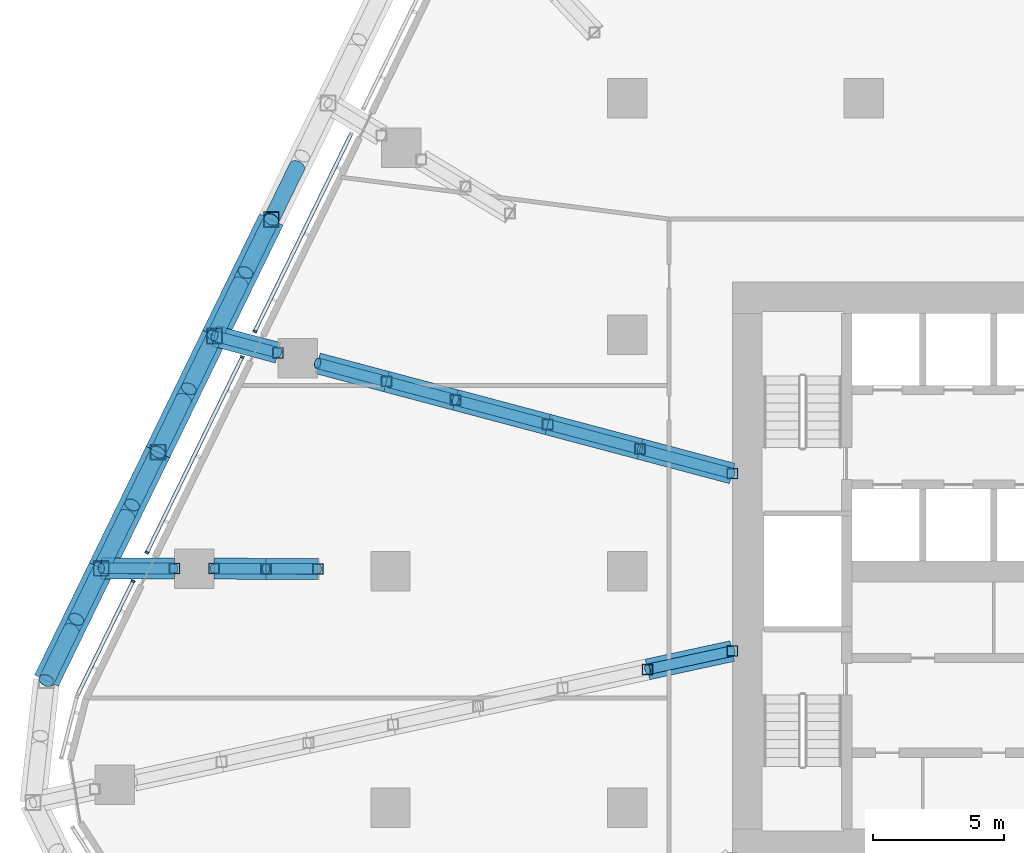
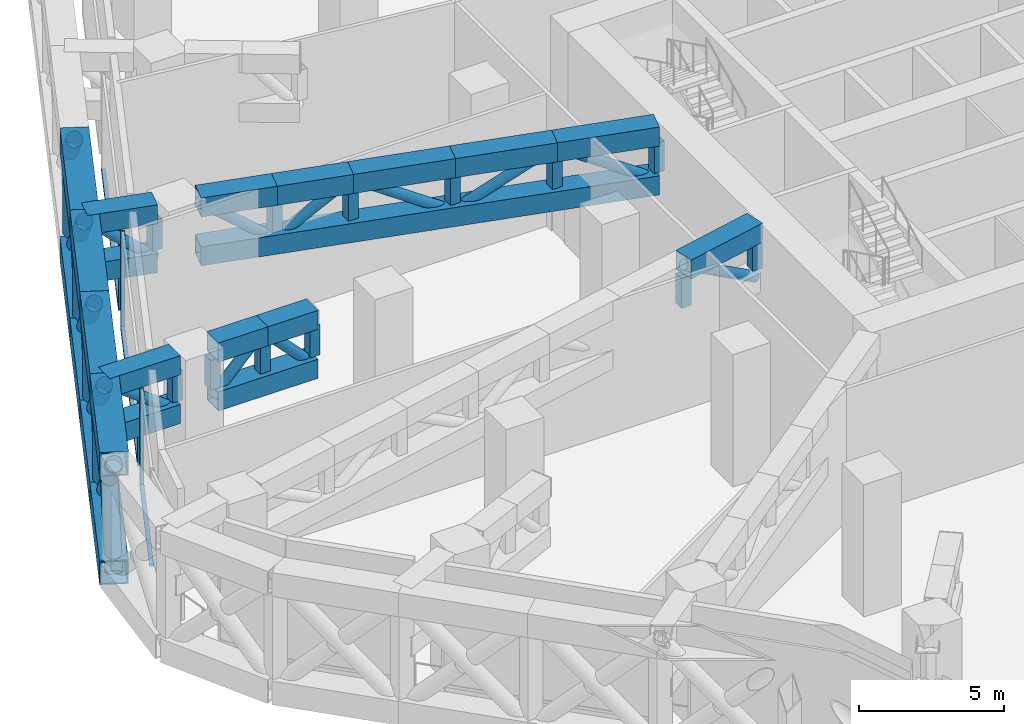
# One storey, part 7 of 38: 68 members, 1 element without a shape of its own.
"""IFC4 building model written with IfcOpenShell, lengths in metres."""

from ifc_helpers import new_model, si_unit, direction, frame, origin, origin_2d, place, context, subcontext, project, spatial, rectangle, hollow_rectangle, hollow_circle, extrude, material, layer, layer_set, material_profile, profile_set, type_object, element, aggregate, save


model = new_model("IFC4")

# Units and contexts
model_context = context("Model", 3, precision=1e-05, world=origin(), true_north=direction((0.0, 1.0)))
body_context = subcontext(model_context, "Body", "Model", "MODEL_VIEW")
ifc_project = project(units=[si_unit("LENGTHUNIT", "METRE"), si_unit("AREAUNIT", "SQUARE_METRE"), si_unit("VOLUMEUNIT", "CUBIC_METRE"), si_unit("PLANEANGLEUNIT", "RADIAN"), si_unit("MASSUNIT", "GRAM", prefix="KILO")], contexts=[model_context])

# Site, building, storey
site_placement = place(None, origin())
site = spatial("IfcSite", under=ifc_project, at=site_placement, CompositionType="ELEMENT")
building_placement = place(site_placement, origin())
building = spatial("IfcBuilding", under=site, at=building_placement, Name="Dongbaek Canopy Tower", CompositionType="ELEMENT")
storey_placement = place(building_placement, frame((0.0, 0.0, 89.199951171875)))
storey = spatial("IfcBuildingStorey", under=building, at=storey_placement, Name="L18", CompositionType="ELEMENT", Elevation=89.199951171875)

# Members
ifc_material_1 = material(Name="Steel S355", Category="steel")
ifc_material_profile_1 = material_profile(ifc_material_1, hollow_circle(Radius=0.304931640625, WallThickness=0.01611328125, at=origin_2d()), Name="BELT BRACE CHS 610.0x16.0 Steel S355")
ifc_profile_set_1 = profile_set([ifc_material_profile_1], Name="Steel S355")
member_type_1 = type_object("IfcMemberType", Name="BELT BRACE CHS 610.0x16.0 Steel S355", PredefinedType="BRACE", material=ifc_profile_set_1)
member_1_placement = place(storey_placement, frame((-40.084228515625, -4.15869140625, 0.5), z_axis=(0.316509625536, 0.649308550674, 0.691534571056), x_axis=(-0.898891831902, 0.438170599813, 0.0)))
element("IfcMember", 1, at=member_1_placement, inside=storey, type_object=member_type_1, Name="BELT:L18:8:D1:0", PredefinedType="BRACE", context=body_context, shape_type="SweptSolid", body=[
    extrude(hollow_circle(Radius=0.304931640625, WallThickness=0.01611328125, at=origin_2d()), origin(), (0.0, 0.0, 1.0), 6.57958984375),
])
member_2_placement = place(storey_placement, frame((-38.001708984375, 0.113525390625, 0.5), z_axis=(-0.316482092414, -0.64932407588, 0.691532594795), x_axis=(0.898910970304, -0.438131335866, 0.0)))
element("IfcMember", 2, at=member_2_placement, inside=storey, type_object=member_type_1, Name="BELT:L18:8:D1:1", PredefinedType="BRACE", context=body_context, shape_type="SweptSolid", body=[
    extrude(hollow_circle(Radius=0.304931640625, WallThickness=0.01611328125, at=origin_2d()), origin(), (0.0, 0.0, 1.0), 2.984619140625),
])
member_3_placement = place(storey_placement, frame((-40.084228515625, -4.15869140625, 5.050048828125), z_axis=(0.316498902436, 0.649276761085, -0.691569325716), x_axis=(-0.898889229253, 0.438175939017, 0.0)))
element("IfcMember", 3, at=member_3_placement, inside=storey, type_object=member_type_1, Name="BELT:L18:8:D1:2", PredefinedType="BRACE", context=body_context, shape_type="SweptSolid", body=[
    extrude(hollow_circle(Radius=0.304931640625, WallThickness=0.01611328125, at=origin_2d()), origin(), (0.0, 0.0, 1.0), 2.984375),
])
member_4_placement = place(storey_placement, frame((-38.001708984375, 0.113525390625, 0.5), z_axis=(0.321687411362, 0.659701543046, 0.679198854146), x_axis=(-0.8988319052, 0.438293516031, 0.0)))
element("IfcMember", 4, at=member_4_placement, inside=storey, type_object=member_type_1, Name="BELT:L18:9:D0:0", PredefinedType="BRACE", context=body_context, shape_type="SweptSolid", body=[
    extrude(hollow_circle(Radius=0.304931640625, WallThickness=0.01611328125, at=origin_2d()), origin(), (0.0, 0.0, 1.0), 6.69921875),
])
member_5_placement = place(storey_placement, frame((-35.8466796875, 4.532958984375, 0.5), z_axis=(-0.321671634673, -0.659707611857, 0.679200431614), x_axis=(0.898841961586, -0.438272892262, 0.0)))
element("IfcMember", 5, at=member_5_placement, inside=storey, type_object=member_type_1, Name="BELT:L18:9:D0:1", PredefinedType="BRACE", context=body_context, shape_type="SweptSolid", body=[
    extrude(hollow_circle(Radius=0.304931640625, WallThickness=0.01611328125, at=origin_2d()), origin(), (0.0, 0.0, 1.0), 3.04345703125),
])
member_6_placement = place(storey_placement, frame((-38.001708984375, 0.113525390625, 5.050048828125), z_axis=(0.321654612124, 0.659752913895, -0.679164488991), x_axis=(-0.898862952216, 0.438229840533, 0.0)))
element("IfcMember", 6, at=member_6_placement, inside=storey, type_object=member_type_1, Name="BELT:L18:9:D0:2", PredefinedType="BRACE", context=body_context, shape_type="SweptSolid", body=[
    extrude(hollow_circle(Radius=0.304931640625, WallThickness=0.01611328125, at=origin_2d()), origin(), (0.0, 0.0, 1.0), 3.043701171875),
])
member_7_placement = place(storey_placement, frame((-35.8466796875, 4.532958984375, 0.5), z_axis=(0.321720083077, 0.659693808774, 0.679190891289), x_axis=(-0.898812343532, 0.438333629914, 0.0)))
element("IfcMember", 7, at=member_7_placement, inside=storey, type_object=member_type_1, Name="BELT:L18:9:D1:0", PredefinedType="BRACE", context=body_context, shape_type="SweptSolid", body=[
    extrude(hollow_circle(Radius=0.304931640625, WallThickness=0.01611328125, at=origin_2d()), origin(), (0.0, 0.0, 1.0), 6.69921875),
])
member_8_placement = place(storey_placement, frame((-33.69140625, 8.952392578125, 0.5), z_axis=(-0.321743548952, -0.659690587529, 0.679182904256), x_axis=(0.898798903857, -0.43836118718, 0.0)))
element("IfcMember", 8, at=member_8_placement, inside=storey, type_object=member_type_1, Name="BELT:L18:9:D1:1", PredefinedType="BRACE", context=body_context, shape_type="SweptSolid", body=[
    extrude(hollow_circle(Radius=0.304931640625, WallThickness=0.01611328125, at=origin_2d()), origin(), (0.0, 0.0, 1.0), 3.04345703125),
])
member_9_placement = place(storey_placement, frame((-35.8466796875, 4.532958984375, 5.050048828125), z_axis=(0.321726523476, 0.659735890199, -0.679146964416), x_axis=(-0.898819901939, 0.438318130903, 0.0)))
element("IfcMember", 9, at=member_9_placement, inside=storey, type_object=member_type_1, Name="BELT:L18:9:D1:2", PredefinedType="BRACE", context=body_context, shape_type="SweptSolid", body=[
    extrude(hollow_circle(Radius=0.304931640625, WallThickness=0.01611328125, at=origin_2d()), origin(), (0.0, 0.0, 1.0), 3.043701171875),
])
member_10_placement = place(storey_placement, frame((-33.69140625, 8.952392578125, 0.5), z_axis=(0.322019818093, 0.66024074631, 0.67851705481), x_axis=(-0.898794641761, 0.43836992591, 0.0)))
element("IfcMember", 10, at=member_10_placement, inside=storey, type_object=member_type_1, Name="BELT:L18:10:D0:0", PredefinedType="BRACE", context=body_context, shape_type="SweptSolid", body=[
    extrude(hollow_circle(Radius=0.304931640625, WallThickness=0.01611328125, at=origin_2d()), origin(), (0.0, 0.0, 1.0), 6.705810546875),
])
for number, where, z_axis, x_axis, name in (
    (11, (-31.531982421875, 13.3798828125, 0.5), (-0.322028448932, -0.660242453147, 0.678511297725), (0.898790458992, -0.438378501783, 0.0), "BELT:L18:10:D0:1"),
    (12, (-33.69140625, 8.952392578125, 5.050048828125), (0.322028448932, 0.660242453147, -0.678511297725), (-0.898790458992, 0.438378501783, 0.0), "BELT:L18:10:D0:2"),
):
    element("IfcMember", number, at=place(storey_placement, frame(where, z_axis=z_axis, x_axis=x_axis)), inside=storey, type_object=member_type_1, Name=name, PredefinedType="BRACE", context=body_context, shape_type="SweptSolid", body=[
        extrude(hollow_circle(Radius=0.304931640625, WallThickness=0.01611328125, at=origin_2d()), origin(), (0.0, 0.0, 1.0), 3.046875),
    ])
member_11_placement = place(storey_placement, frame((-31.531982421875, 13.3798828125, 5.050048828125), z_axis=(0.321939595939, 0.660304681466, -0.678492906523), x_axis=(-0.898854385359, 0.438247411767, 0.0)))
element("IfcMember", 13, at=member_11_placement, inside=storey, type_object=member_type_1, Name="BELT:L18:10:D1:2", PredefinedType="BRACE", context=body_context, shape_type="SweptSolid", body=[
    extrude(hollow_circle(Radius=0.304931640625, WallThickness=0.01611328125, at=origin_2d()), origin(), (0.0, 0.0, 1.0), 3.047119140625),
])
ifc_material_2 = material(Name="Steel S355", Category="steel")
ifc_material_profile_2 = material_profile(ifc_material_2, hollow_rectangle(XDim=1.0, YDim=1.0, WallThickness=0.050048828125, at=origin_2d()), Name="BELT CHORD BOX 1000x1000x50 Steel S355")
ifc_profile_set_2 = profile_set([ifc_material_profile_2], Name="Steel S355")
member_type_2 = type_object("IfcMemberType", Name="BELT CHORD BOX 1000x1000x50 Steel S355", PredefinedType="CHORD", material=ifc_profile_set_2)
for number, where, z_axis, x_axis, name in (
    (14, (-40.084228515625, -4.15869140625, 0.5), (0.438170599813, 0.898891831902, 0.0), (-0.898891831902, 0.438170599813, 0.0), "BELT:L18:8:CB1"),
    (15, (-40.084228515625, -4.15869140625, 5.050048828125), (0.438170599813, 0.898891831902, 0.0), (-0.898891831902, 0.438170599813, 0.0), "BELT:L18:8:CT1"),
):
    element("IfcMember", number, at=place(storey_placement, frame(where, z_axis=z_axis, x_axis=x_axis)), inside=storey, type_object=member_type_2, Name=name, PredefinedType="CHORD", context=body_context, shape_type="SweptSolid", body=[
        extrude(hollow_rectangle(XDim=1.0, YDim=1.0, WallThickness=0.050048828125, at=origin_2d()), origin(), (0.0, 0.0, 1.0), 4.752685546875),
    ])
for number, where, z_axis, x_axis, name in (
    (16, (-38.001708984375, 0.113525390625, 0.5), (0.438293516031, 0.8988319052, 0.0), (-0.8988319052, 0.438293516031, 0.0), "BELT:L18:9:CB0"),
    (17, (-38.001708984375, 0.113525390625, 5.050048828125), (0.438293516031, 0.8988319052, 0.0), (-0.8988319052, 0.438293516031, 0.0), "BELT:L18:9:CT0"),
):
    element("IfcMember", number, at=place(storey_placement, frame(where, z_axis=z_axis, x_axis=x_axis)), inside=storey, type_object=member_type_2, Name=name, PredefinedType="CHORD", context=body_context, shape_type="SweptSolid", body=[
        extrude(hollow_rectangle(XDim=1.0, YDim=1.0, WallThickness=0.050048828125, at=origin_2d()), origin(), (0.0, 0.0, 1.0), 4.916748046875),
    ])
for number, where, z_axis, x_axis, name in (
    (18, (-35.8466796875, 4.532958984375, 0.5), (0.438333629914, 0.898812343532, 0.0), (-0.898812343532, 0.438333629914, 0.0), "BELT:L18:9:CB1"),
    (19, (-35.8466796875, 4.532958984375, 5.050048828125), (0.438333629914, 0.898812343532, 0.0), (-0.898812343532, 0.438333629914, 0.0), "BELT:L18:9:CT1"),
):
    element("IfcMember", number, at=place(storey_placement, frame(where, z_axis=z_axis, x_axis=x_axis)), inside=storey, type_object=member_type_2, Name=name, PredefinedType="CHORD", context=body_context, shape_type="SweptSolid", body=[
        extrude(hollow_rectangle(XDim=1.0, YDim=1.0, WallThickness=0.050048828125, at=origin_2d()), origin(), (0.0, 0.0, 1.0), 4.9169921875),
    ])
for number, where, z_axis, x_axis, name in (
    (20, (-33.69140625, 8.952392578125, 0.5), (0.43836992591, 0.898794641761, 0.0), (-0.898794641761, 0.43836992591, 0.0), "BELT:L18:10:CB0"),
    (21, (-33.69140625, 8.952392578125, 5.050048828125), (0.43836992591, 0.898794641761, 0.0), (-0.898794641761, 0.43836992591, 0.0), "BELT:L18:10:CT0"),
):
    element("IfcMember", number, at=place(storey_placement, frame(where, z_axis=z_axis, x_axis=x_axis)), inside=storey, type_object=member_type_2, Name=name, PredefinedType="CHORD", context=body_context, shape_type="SweptSolid", body=[
        extrude(hollow_rectangle(XDim=1.0, YDim=1.0, WallThickness=0.050048828125, at=origin_2d()), origin(), (0.0, 0.0, 1.0), 4.926025390625),
    ])
ifc_material_3 = material(Name="Steel S355", Category="steel")
ifc_material_profile_3 = material_profile(ifc_material_3, hollow_rectangle(XDim=0.60009765625, YDim=0.60009765625, WallThickness=0.031982421875, at=origin_2d()), Name="BELT POST BOX 600x600x32 Steel S355")
ifc_profile_set_3 = profile_set([ifc_material_profile_3], Name="Steel S355")
member_type_3 = type_object("IfcMemberType", Name="BELT POST BOX 600x600x32 Steel S355", PredefinedType="POST", material=ifc_profile_set_3)
for number, where, z_axis, x_axis, name in (
    (22, (-38.001708984375, 0.113525390625, 1.0), (0.0, 0.0, 1.0), (1.0, 0.0, 0.0), "BELT:L18:9:P0"),
    (23, (-35.8466796875, 4.532958984375, 1.0), (0.0, 0.0, 1.0), (1.0, 0.0, 0.0), "BELT:L18:9:P1"),
    (24, (-33.69140625, 8.952392578125, 1.0), (0.0, 0.0, 1.0), (1.0, 0.0, 0.0), "BELT:L18:10:P0"),
    (25, (-31.531982421875, 13.3798828125, 1.0), (0.0, 0.0, 1.0), (1.0, 0.0, 0.0), "BELT:L18:10:P1"),
):
    element("IfcMember", number, at=place(storey_placement, frame(where, z_axis=z_axis, x_axis=x_axis)), inside=storey, type_object=member_type_3, Name=name, PredefinedType="POST", context=body_context, shape_type="SweptSolid", body=[
        extrude(hollow_rectangle(XDim=0.60009765625, YDim=0.60009765625, WallThickness=0.031982421875, at=origin_2d()), origin(), (0.0, 0.0, 1.0), 3.550048828125),
    ])
ifc_material_4 = material(Name="Steel S355", Category="steel")
ifc_material_profile_4 = material_profile(ifc_material_4, hollow_circle(Radius=0.203125, WallThickness=0.0126953125, at=origin_2d()), Name="BRACE CHS 406.4x12.7 Steel S355")
ifc_profile_set_4 = profile_set([ifc_material_profile_4], Name="Steel S355")
member_type_4 = type_object("IfcMemberType", Name="BRACE CHS 406.4x12.7 Steel S355", PredefinedType="BRACE", material=ifc_profile_set_4)
member_12_placement = place(storey_placement, frame((-29.762939453125, 0.089111328125, 3.10009765625), z_axis=(-0.693818191775, 0.002058298715, 0.720147262835), x_axis=(-0.002966612409, -0.999995599596, 0.0)))
element("IfcMember", 26, at=member_12_placement, inside=storey, type_object=member_type_4, Name="TRUSS:L18:9:D0", PredefinedType="BRACE", context=body_context, shape_type="SweptSolid", body=[
    extrude(hollow_circle(Radius=0.203125, WallThickness=0.0126953125, at=origin_2d()), origin(), (0.0, 0.0, 1.0), 2.8466796875),
])
member_13_placement = place(storey_placement, frame((-31.738037109375, 0.094970703125, 5.150146484375), z_axis=(-0.693773710001, 0.002058421194, -0.720190115327), x_axis=(-0.002966979152, -0.999995598508, 0.0)))
element("IfcMember", 27, at=member_13_placement, inside=storey, type_object=member_type_4, Name="TRUSS:L18:9:D1", PredefinedType="BRACE", context=body_context, shape_type="SweptSolid", body=[
    extrude(hollow_circle(Radius=0.203125, WallThickness=0.0126953125, at=origin_2d()), origin(), (0.0, 0.0, 1.0), 2.846435546875),
])
member_14_placement = place(storey_placement, frame((-35.212890625, 0.105224609375, 3.10009765625), z_axis=(-0.805724927518, 0.002398200782, 0.592285057898), x_axis=(-0.002976437835, -0.999995570399, 0.0)))
element("IfcMember", 28, at=member_14_placement, inside=storey, type_object=member_type_4, Name="TRUSS:L18:9x:D0", PredefinedType="BRACE", context=body_context, shape_type="SweptSolid", body=[
    extrude(hollow_circle(Radius=0.203125, WallThickness=0.0126953125, at=origin_2d()), origin(), (0.0, 0.0, 1.0), 3.461181640625),
])
member_15_placement = place(storey_placement, frame((-31.27490234375, 8.310302734375, 3.10009765625), z_axis=(-0.747371403868, 0.19858423845, 0.634034924053), x_axis=(-0.256799567059, -0.966464682416, 0.0)))
element("IfcMember", 29, at=member_15_placement, inside=storey, type_object=member_type_4, Name="TRUSS:L18:10x:D0", PredefinedType="BRACE", context=body_context, shape_type="SweptSolid", body=[
    extrude(hollow_circle(Radius=0.203125, WallThickness=0.0126953125, at=origin_2d()), origin(), (0.0, 0.0, 1.0), 3.2333984375),
])
ifc_material_5 = material(Name="Steel S355", Category="steel")
ifc_material_profile_5 = material_profile(ifc_material_5, hollow_rectangle(XDim=0.800048828125, YDim=0.800048828125, WallThickness=0.0400390625, at=origin_2d()), Name="CHORD BOX 800x800x40 Steel S355")
ifc_profile_set_5 = profile_set([ifc_material_profile_5], Name="Steel S355")
member_type_5 = type_object("IfcMemberType", Name="CHORD BOX 800x800x40 Steel S355", PredefinedType="CHORD", material=ifc_profile_set_5)
member_16_placement = place(storey_placement, frame((-29.762939453125, 0.089111328125, 3.10009765625), z_axis=(-0.999995599052, 0.002966795769, 0.0), x_axis=(-0.002966795769, -0.999995599052, 0.0)))
element("IfcMember", 30, at=member_16_placement, inside=storey, type_object=member_type_5, Name="TRUSS:L18:9:CB", PredefinedType="CHORD", context=body_context, shape_type="SweptSolid", body=[
    extrude(hollow_rectangle(XDim=0.800048828125, YDim=0.800048828125, WallThickness=0.0400390625, at=origin_2d()), origin(), (0.0, 0.0, 1.0), 3.949951171875),
])
member_17_placement = place(storey_placement, frame((-29.762939453125, 0.089111328125, 5.150146484375), z_axis=(-0.999995599596, 0.002966612409, 0.0), x_axis=(-0.002966612409, -0.999995599596, 0.0)))
element("IfcMember", 31, at=member_17_placement, inside=storey, type_object=member_type_5, Name="TRUSS:L18:9:CT0", PredefinedType="CHORD", context=body_context, shape_type="SweptSolid", body=[
    extrude(hollow_rectangle(XDim=0.800048828125, YDim=0.800048828125, WallThickness=0.0400390625, at=origin_2d()), origin(), (0.0, 0.0, 1.0), 1.97509765625),
])
member_18_placement = place(storey_placement, frame((-31.738037109375, 0.094970703125, 5.150146484375), z_axis=(-0.999995598508, 0.002966979152, 0.0), x_axis=(-0.002966979152, -0.999995598508, 0.0)))
element("IfcMember", 32, at=member_18_placement, inside=storey, type_object=member_type_5, Name="TRUSS:L18:9:CT1", PredefinedType="CHORD", context=body_context, shape_type="SweptSolid", body=[
    extrude(hollow_rectangle(XDim=0.800048828125, YDim=0.800048828125, WallThickness=0.0400390625, at=origin_2d()), origin(), (0.0, 0.0, 1.0), 1.974853515625),
])
for number, where, z_axis, x_axis, name in (
    (33, (-35.212890625, 0.105224609375, 3.10009765625), (-0.999995570399, 0.002976437835, 0.0), (-0.002976437835, -0.999995570399, 0.0), "TRUSS:L18:9x:CB"),
    (34, (-35.212890625, 0.105224609375, 5.150146484375), (-0.999995570399, 0.002976437835, 0.0), (-0.002976437835, -0.999995570399, 0.0), "TRUSS:L18:9x:CT0"),
):
    element("IfcMember", number, at=place(storey_placement, frame(where, z_axis=z_axis, x_axis=x_axis)), inside=storey, type_object=member_type_5, Name=name, PredefinedType="CHORD", context=body_context, shape_type="SweptSolid", body=[
        extrude(hollow_rectangle(XDim=0.800048828125, YDim=0.800048828125, WallThickness=0.0400390625, at=origin_2d()), origin(), (0.0, 0.0, 1.0), 2.788818359375),
    ])
for number, where, z_axis, x_axis, name in (
    (35, (-31.27490234375, 8.310302734375, 3.10009765625), (-0.966464682416, 0.256799567059, 0.0), (-0.256799567059, -0.966464682416, 0.0), "TRUSS:L18:10x:CB"),
    (36, (-31.27490234375, 8.310302734375, 5.150146484375), (-0.966464682416, 0.256799567059, 0.0), (-0.256799567059, -0.966464682416, 0.0), "TRUSS:L18:10x:CT0"),
):
    element("IfcMember", number, at=place(storey_placement, frame(where, z_axis=z_axis, x_axis=x_axis)), inside=storey, type_object=member_type_5, Name=name, PredefinedType="CHORD", context=body_context, shape_type="SweptSolid", body=[
        extrude(hollow_rectangle(XDim=0.800048828125, YDim=0.800048828125, WallThickness=0.0400390625, at=origin_2d()), origin(), (0.0, 0.0, 1.0), 2.500244140625),
    ])

# Curtain wall, members
ifc_material_6 = material(Name="Aluminium 6063-T6 pale anodised", Category="aluminium")
ifc_layer = layer(ifc_material_6, 0.14990234375)
ifc_layer_set = layer_set([ifc_layer], Name="CW-7 louvre curtain wall")
curtain_wall_type = type_object("IfcCurtainWallType", Name="CW-7 louvre curtain wall", PredefinedType="NOTDEFINED", material=ifc_layer_set)
curtain_wall_placement = place(storey_placement, origin())
curtain_wall = element("IfcCurtainWall", 37, at=curtain_wall_placement, inside=storey, type_object=curtain_wall_type, Name="CW-7 louvre wall L18 F2", PredefinedType="NOTDEFINED")
ifc_material_7 = material(Name="Aluminium 6063-T6 pale anodised", Category="aluminium")
ifc_material_profile_6 = material_profile(ifc_material_7, rectangle(XDim=0.14990234375, YDim=0.080078125, at=origin_2d()), Name="CW-7 mullion 80 x 150")
ifc_profile_set_6 = profile_set([ifc_material_profile_6], Name="Aluminium 6063-T6 pale anodised")
member_type_6 = type_object("IfcMemberType", Name="CW-7 mullion 80 x 150", PredefinedType="MULLION", material=ifc_profile_set_6)
member_19_placement = place(storey_placement, frame((-32.161865234375, 9.123046875, 0.775146484375), z_axis=(0.0, 0.0, 1.0), x_axis=(-0.898815091444, 0.438327995219, 0.0)))
member_19 = element("IfcMember", 38, at=member_19_placement, type_object=member_type_6, Name="CW-7 mullion L18 F2.3.2", PredefinedType="MULLION", context=body_context, shape_type="SweptSolid", body=[
    extrude(rectangle(XDim=0.14990234375, YDim=0.080078125, at=origin_2d()), origin(), (0.0, 0.0, 1.0), 4.0),
])
member_20_placement = place(storey_placement, frame((-32.63671875, 8.149169921875, 0.775146484375), z_axis=(0.0, 0.0, 1.0), x_axis=(-0.898815091444, 0.438327995219, 0.0)))
member_20 = element("IfcMember", 39, at=member_20_placement, type_object=member_type_6, Name="CW-7 mullion L18 F2.4.1", PredefinedType="MULLION", context=body_context, shape_type="SweptSolid", body=[
    extrude(rectangle(XDim=0.14990234375, YDim=0.080078125, at=origin_2d()), origin(), (0.0, 0.0, 1.0), 4.0),
])
member_21_placement = place(storey_placement, frame((-36.26416015625, 0.7109375, 0.775146484375), z_axis=(0.0, 0.0, 1.0), x_axis=(-0.898815091444, 0.438327995219, 0.0)))
member_21 = element("IfcMember", 40, at=member_21_placement, type_object=member_type_6, Name="CW-7 mullion L18 F2.4.2", PredefinedType="MULLION", context=body_context, shape_type="SweptSolid", body=[
    extrude(rectangle(XDim=0.14990234375, YDim=0.080078125, at=origin_2d()), origin(), (0.0, 0.0, 1.0), 4.0),
])
member_22_placement = place(storey_placement, frame((-36.79248046875, -0.37255859375, 0.775146484375), z_axis=(0.0, 0.0, 1.0), x_axis=(-0.898815091444, 0.438327995219, 0.0)))
member_22 = element("IfcMember", 41, at=member_22_placement, type_object=member_type_6, Name="CW-7 mullion L18 F2.5.1", PredefinedType="MULLION", context=body_context, shape_type="SweptSolid", body=[
    extrude(rectangle(XDim=0.14990234375, YDim=0.080078125, at=origin_2d()), origin(), (0.0, 0.0, 1.0), 4.0),
])
ifc_material_8 = material(Name="Aluminium 6063-T6 pale anodised", Category="aluminium")
ifc_material_profile_7 = material_profile(ifc_material_8, rectangle(XDim=0.14990234375, YDim=0.1201171875, at=origin_2d()), Name="CW-7 transom 120 x 150")
ifc_profile_set_7 = profile_set([ifc_material_profile_7], Name="Aluminium 6063-T6 pale anodised")
member_type_7 = type_object("IfcMemberType", Name="CW-7 transom 120 x 150", PredefinedType="USERDEFINED", material=ifc_profile_set_7)
member_23_placement = place(storey_placement, frame((-28.48974609375, 16.65283203125, 0.715087890625), z_axis=(-0.438332337133, -0.898812973996, 0.0), x_axis=(0.898812973996, -0.438332337133, 0.0)))
member_23 = element("IfcMember", 42, at=member_23_placement, type_object=member_type_7, Name="CW-7 transom L18 F2.3", ObjectType="TRANSOM", PredefinedType="USERDEFINED", context=body_context, shape_type="SweptSolid", body=[
    extrude(rectangle(XDim=0.14990234375, YDim=0.1201171875, at=origin_2d()), origin(), (0.0, 0.0, 1.0), 8.37744140625),
])
member_24_placement = place(storey_placement, frame((-32.63671875, 8.149169921875, 0.715087890625), z_axis=(-0.438329469473, -0.898814372488, 0.0), x_axis=(0.898814372488, -0.438329469473, 0.0)))
member_24 = element("IfcMember", 43, at=member_24_placement, type_object=member_type_7, Name="CW-7 transom L18 F2.4", ObjectType="TRANSOM", PredefinedType="USERDEFINED", context=body_context, shape_type="SweptSolid", body=[
    extrude(rectangle(XDim=0.14990234375, YDim=0.1201171875, at=origin_2d()), origin(), (0.0, 0.0, 1.0), 8.275634765625),
])
member_25_placement = place(storey_placement, frame((-36.79248046875, -0.37255859375, 0.715087890625), z_axis=(-0.438330747756, -0.8988137491, 0.0), x_axis=(0.8988137491, -0.438330747756, 0.0)))
member_25 = element("IfcMember", 44, at=member_25_placement, type_object=member_type_7, Name="CW-7 transom L18 F2.5", ObjectType="TRANSOM", PredefinedType="USERDEFINED", context=body_context, shape_type="SweptSolid", body=[
    extrude(rectangle(XDim=0.14990234375, YDim=0.1201171875, at=origin_2d()), origin(), (0.0, 0.0, 1.0), 4.816162109375),
])
aggregate(curtain_wall, [member_23, member_19, member_24, member_20, member_21, member_25, member_22])

# Members
ifc_material_9 = material(Name="Steel S355", Category="steel")
ifc_material_profile_8 = material_profile(ifc_material_9, hollow_circle(Radius=0.203125, WallThickness=0.0126953125, at=origin_2d()), Name="OUTRIGGER BRACE CHS 406.4x12.7 Steel S355")
ifc_profile_set_8 = profile_set([ifc_material_profile_8], Name="Steel S355")
member_type_8 = type_object("IfcMemberType", Name="OUTRIGGER BRACE CHS 406.4x12.7 Steel S355", PredefinedType="BRACE", material=ifc_profile_set_8)
member_26_placement = place(storey_placement, frame((-14.0, -3.033447265625, 3.10009765625), z_axis=(-0.830160339004, -0.179920442889, 0.527695410039), x_axis=(0.211812234351, -0.977310379245, 0.0)))
element("IfcMember", 45, at=member_26_placement, inside=storey, type_object=member_type_8, Name="TRUSS:L18:8:D0", PredefinedType="BRACE", context=body_context, shape_type="SweptSolid", body=[
    extrude(hollow_circle(Radius=0.203125, WallThickness=0.0126953125, at=origin_2d()), origin(), (0.0, 0.0, 1.0), 3.885009765625),
])
member_27_placement = place(storey_placement, frame((-14.0, 3.719970703125, 3.10009765625), z_axis=(-0.841621295031, 0.223636153799, 0.491589733888), x_axis=(-0.256808956344, -0.966462187538, 0.0)))
element("IfcMember", 46, at=member_27_placement, inside=storey, type_object=member_type_8, Name="TRUSS:L18:10:D0", PredefinedType="BRACE", context=body_context, shape_type="SweptSolid", body=[
    extrude(hollow_circle(Radius=0.203125, WallThickness=0.0126953125, at=origin_2d()), origin(), (0.0, 0.0, 1.0), 4.170166015625),
])
member_28_placement = place(storey_placement, frame((-17.509765625, 4.652587890625, 5.150146484375), z_axis=(-0.841604218177, 0.223647173109, -0.491613956176), x_axis=(-0.25682564299, -0.966457753398, 0.0)))
element("IfcMember", 47, at=member_28_placement, inside=storey, type_object=member_type_8, Name="TRUSS:L18:10:D1", PredefinedType="BRACE", context=body_context, shape_type="SweptSolid", body=[
    extrude(hollow_circle(Radius=0.203125, WallThickness=0.0126953125, at=origin_2d()), origin(), (0.0, 0.0, 1.0), 4.169921875),
])
member_29_placement = place(storey_placement, frame((-21.019287109375, 5.585205078125, 3.10009765625), z_axis=(-0.841621295031, 0.223636153799, 0.491589733888), x_axis=(-0.256808956344, -0.966462187538, 0.0)))
element("IfcMember", 48, at=member_29_placement, inside=storey, type_object=member_type_8, Name="TRUSS:L18:10:D2", PredefinedType="BRACE", context=body_context, shape_type="SweptSolid", body=[
    extrude(hollow_circle(Radius=0.203125, WallThickness=0.0126953125, at=origin_2d()), origin(), (0.0, 0.0, 1.0), 4.170166015625),
])
member_30_placement = place(storey_placement, frame((-24.529052734375, 6.517822265625, 5.150146484375), z_axis=(-0.771198438377, 0.204858557625, -0.602732063203), x_axis=(-0.256733115186, -0.966482336914, 0.0)))
element("IfcMember", 49, at=member_30_placement, inside=storey, type_object=member_type_8, Name="TRUSS:L18:10:D3", PredefinedType="BRACE", context=body_context, shape_type="SweptSolid", body=[
    extrude(hollow_circle(Radius=0.203125, WallThickness=0.0126953125, at=origin_2d()), origin(), (0.0, 0.0, 1.0), 3.4013671875),
])
member_31_placement = place(storey_placement, frame((-27.152099609375, 7.214599609375, 3.10009765625), z_axis=(-0.771158004369, 0.204938667269, 0.602756563594), x_axis=(-0.256839467313, -0.966454079629, 0.0)))
element("IfcMember", 50, at=member_31_placement, inside=storey, type_object=member_type_8, Name="TRUSS:L18:10:D4", PredefinedType="BRACE", context=body_context, shape_type="SweptSolid", body=[
    extrude(hollow_circle(Radius=0.203125, WallThickness=0.0126953125, at=origin_2d()), origin(), (0.0, 0.0, 1.0), 3.401123046875),
])
ifc_material_10 = material(Name="Steel S355", Category="steel")
ifc_material_profile_9 = material_profile(ifc_material_10, hollow_rectangle(XDim=0.800048828125, YDim=0.800048828125, WallThickness=0.0400390625, at=origin_2d()), Name="OUTRIGGER CHORD BOX 800x800x40 Steel S355")
ifc_profile_set_9 = profile_set([ifc_material_profile_9], Name="Steel S355")
member_type_9 = type_object("IfcMemberType", Name="OUTRIGGER CHORD BOX 800x800x40 Steel S355", PredefinedType="CHORD", material=ifc_profile_set_9)
member_32_placement = place(storey_placement, frame((-14.0, -3.033447265625, 5.150146484375), z_axis=(-0.977310379245, -0.211812234351, 0.0), x_axis=(0.211812234351, -0.977310379245, 0.0)))
element("IfcMember", 51, at=member_32_placement, inside=storey, type_object=member_type_9, Name="TRUSS:L18:8:CT0", PredefinedType="CHORD", context=body_context, shape_type="SweptSolid", body=[
    extrude(hollow_rectangle(XDim=0.800048828125, YDim=0.800048828125, WallThickness=0.0400390625, at=origin_2d()), origin(), (0.0, 0.0, 1.0), 3.300048828125),
])
member_33_placement = place(storey_placement, frame((-14.0, 3.719970703125, 3.10009765625), z_axis=(-0.966463203945, 0.256805131218, 0.0), x_axis=(-0.256805131218, -0.966463203945, 0.0)))
element("IfcMember", 52, at=member_33_placement, inside=storey, type_object=member_type_9, Name="TRUSS:L18:10:CB", PredefinedType="CHORD", context=body_context, shape_type="SweptSolid", body=[
    extrude(hollow_rectangle(XDim=0.800048828125, YDim=0.800048828125, WallThickness=0.0400390625, at=origin_2d()), origin(), (0.0, 0.0, 1.0), 16.322265625),
])
member_34_placement = place(storey_placement, frame((-14.0, 3.719970703125, 5.150146484375), z_axis=(-0.966462187538, 0.256808956344, 0.0), x_axis=(-0.256808956344, -0.966462187538, 0.0)))
element("IfcMember", 53, at=member_34_placement, inside=storey, type_object=member_type_9, Name="TRUSS:L18:10:CT0", PredefinedType="CHORD", context=body_context, shape_type="SweptSolid", body=[
    extrude(hollow_rectangle(XDim=0.800048828125, YDim=0.800048828125, WallThickness=0.0400390625, at=origin_2d()), origin(), (0.0, 0.0, 1.0), 3.631591796875),
])
member_35_placement = place(storey_placement, frame((-17.509765625, 4.652587890625, 5.150146484375), z_axis=(-0.966457753398, 0.25682564299, 0.0), x_axis=(-0.25682564299, -0.966457753398, 0.0)))
element("IfcMember", 54, at=member_35_placement, inside=storey, type_object=member_type_9, Name="TRUSS:L18:10:CT1", PredefinedType="CHORD", context=body_context, shape_type="SweptSolid", body=[
    extrude(hollow_rectangle(XDim=0.800048828125, YDim=0.800048828125, WallThickness=0.0400390625, at=origin_2d()), origin(), (0.0, 0.0, 1.0), 3.63134765625),
])
member_36_placement = place(storey_placement, frame((-21.019287109375, 5.585205078125, 5.150146484375), z_axis=(-0.966462187538, 0.256808956344, 0.0), x_axis=(-0.256808956344, -0.966462187538, 0.0)))
element("IfcMember", 55, at=member_36_placement, inside=storey, type_object=member_type_9, Name="TRUSS:L18:10:CT2", PredefinedType="CHORD", context=body_context, shape_type="SweptSolid", body=[
    extrude(hollow_rectangle(XDim=0.800048828125, YDim=0.800048828125, WallThickness=0.0400390625, at=origin_2d()), origin(), (0.0, 0.0, 1.0), 3.631591796875),
])
member_37_placement = place(storey_placement, frame((-24.529052734375, 6.517822265625, 5.150146484375), z_axis=(-0.966482336914, 0.256733115186, 0.0), x_axis=(-0.256733115186, -0.966482336914, 0.0)))
element("IfcMember", 56, at=member_37_placement, inside=storey, type_object=member_type_9, Name="TRUSS:L18:10:CT3", PredefinedType="CHORD", context=body_context, shape_type="SweptSolid", body=[
    extrude(hollow_rectangle(XDim=0.800048828125, YDim=0.800048828125, WallThickness=0.0400390625, at=origin_2d()), origin(), (0.0, 0.0, 1.0), 2.714111328125),
])
member_38_placement = place(storey_placement, frame((-27.152099609375, 7.214599609375, 5.150146484375), z_axis=(-0.966454079629, 0.256839467313, 0.0), x_axis=(-0.256839467313, -0.966454079629, 0.0)))
element("IfcMember", 57, at=member_38_placement, inside=storey, type_object=member_type_9, Name="TRUSS:L18:10:CT4", PredefinedType="CHORD", context=body_context, shape_type="SweptSolid", body=[
    extrude(hollow_rectangle(XDim=0.800048828125, YDim=0.800048828125, WallThickness=0.0400390625, at=origin_2d()), origin(), (0.0, 0.0, 1.0), 2.7138671875),
])
ifc_material_11 = material(Name="Steel S355", Category="steel")
ifc_material_profile_10 = material_profile(ifc_material_11, hollow_rectangle(XDim=0.39990234375, YDim=0.39990234375, WallThickness=0.01611328125, at=origin_2d()), Name="OUTRIGGER POST SHS 400x400x16 Steel S355")
ifc_profile_set_10 = profile_set([ifc_material_profile_10], Name="Steel S355")
member_type_10 = type_object("IfcMemberType", Name="OUTRIGGER POST SHS 400x400x16 Steel S355", PredefinedType="POST", material=ifc_profile_set_10)
for number, where, z_axis, x_axis, name in (
    (58, (-14.0, -3.033447265625, 3.5), (0.0, 0.0, 1.0), (1.0, 0.0, 0.0), "TRUSS:L18:8:P0"),
    (59, (-17.22509765625, -3.732421875, 3.5), (0.0, 0.0, 1.0), (1.0, 0.0, 0.0), "TRUSS:L18:8:P1"),
    (60, (-14.0, 3.719970703125, 3.5), (0.0, 0.0, 1.0), (1.0, 0.0, 0.0), "TRUSS:L18:10:P0"),
    (61, (-17.509765625, 4.652587890625, 3.5), (0.0, 0.0, 1.0), (1.0, 0.0, 0.0), "TRUSS:L18:10:P1"),
    (62, (-21.019287109375, 5.585205078125, 3.5), (0.0, 0.0, 1.0), (1.0, 0.0, 0.0), "TRUSS:L18:10:P2"),
    (63, (-24.529052734375, 6.517822265625, 3.5), (0.0, 0.0, 1.0), (1.0, 0.0, 0.0), "TRUSS:L18:10:P3"),
    (64, (-27.152099609375, 7.214599609375, 3.5), (0.0, 0.0, 1.0), (1.0, 0.0, 0.0), "TRUSS:L18:10:P4"),
):
    element("IfcMember", number, at=place(storey_placement, frame(where, z_axis=z_axis, x_axis=x_axis)), inside=storey, type_object=member_type_10, Name=name, PredefinedType="POST", context=body_context, shape_type="SweptSolid", body=[
        extrude(hollow_rectangle(XDim=0.39990234375, YDim=0.39990234375, WallThickness=0.01611328125, at=origin_2d()), origin(), (0.0, 0.0, 1.0), 1.25),
    ])
ifc_material_12 = material(Name="Steel S355", Category="steel")
ifc_material_profile_11 = material_profile(ifc_material_12, hollow_rectangle(XDim=0.39990234375, YDim=0.39990234375, WallThickness=0.01611328125, at=origin_2d()), Name="POST SHS 400x400x16 Steel S355")
ifc_profile_set_11 = profile_set([ifc_material_profile_11], Name="Steel S355")
member_type_11 = type_object("IfcMemberType", Name="POST SHS 400x400x16 Steel S355", PredefinedType="POST", material=ifc_profile_set_11)
for number, where, z_axis, x_axis, name in (
    (65, (-29.762939453125, 0.089111328125, 3.5), (0.0, 0.0, 1.0), (1.0, 0.0, 0.0), "TRUSS:L18:9:P0"),
    (66, (-31.738037109375, 0.094970703125, 3.5), (0.0, 0.0, 1.0), (1.0, 0.0, 0.0), "TRUSS:L18:9:P1"),
    (67, (-33.712890625, 0.100830078125, 3.5), (0.0, 0.0, 1.0), (1.0, 0.0, 0.0), "TRUSS:L18:9:P2"),
    (68, (-35.212890625, 0.105224609375, 3.5), (0.0, 0.0, 1.0), (1.0, 0.0, 0.0), "TRUSS:L18:9x:P0"),
    (69, (-31.27490234375, 8.310302734375, 3.5), (0.0, 0.0, 1.0), (1.0, 0.0, 0.0), "TRUSS:L18:10x:P0"),
):
    element("IfcMember", number, at=place(storey_placement, frame(where, z_axis=z_axis, x_axis=x_axis)), inside=storey, type_object=member_type_11, Name=name, PredefinedType="POST", context=body_context, shape_type="SweptSolid", body=[
        extrude(hollow_rectangle(XDim=0.39990234375, YDim=0.39990234375, WallThickness=0.01611328125, at=origin_2d()), origin(), (0.0, 0.0, 1.0), 1.25),
    ])

save(model, "model.ifc")
